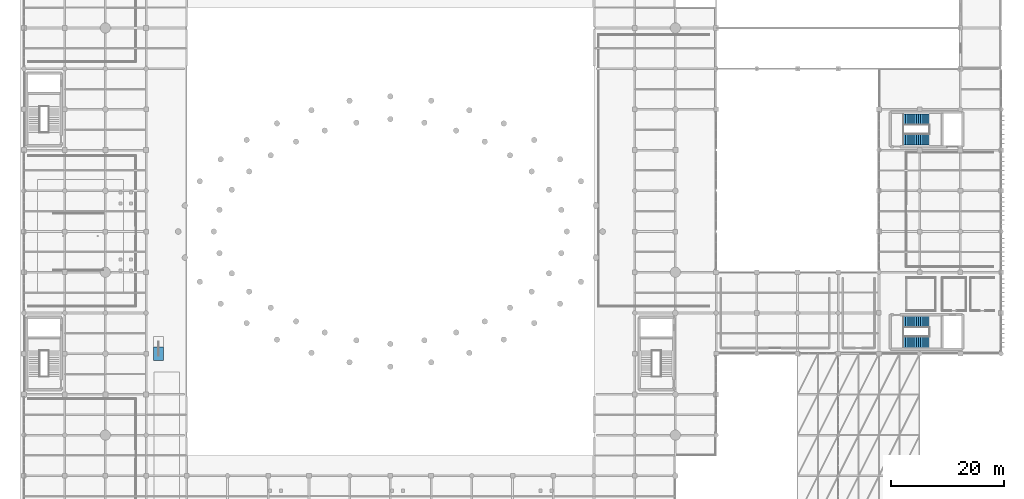
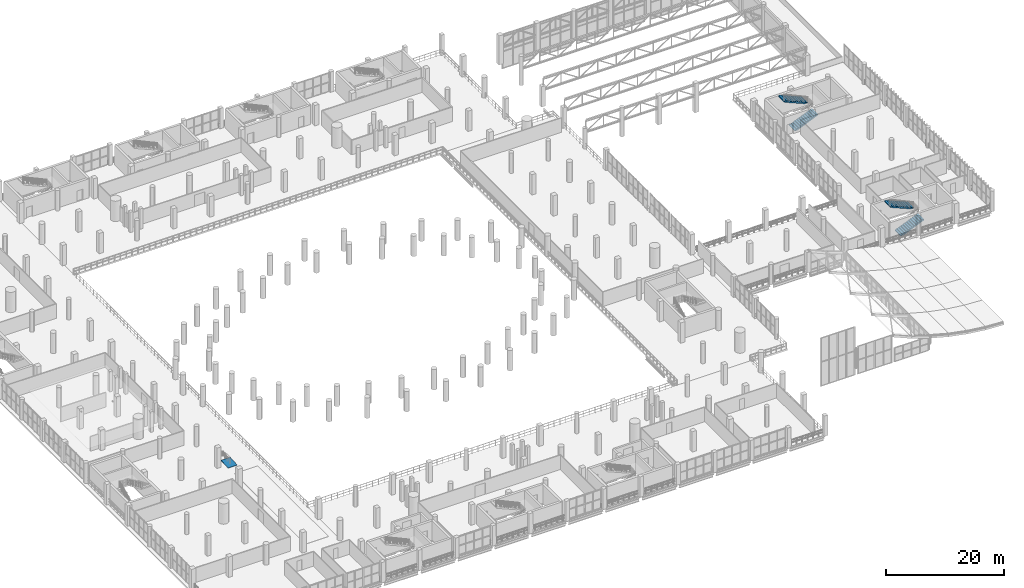
# One storey, part 140 of 153: 4 stair flights, 1 ramp flight, 3 elements without a shape of their own.
"""IFC4 building model written with IfcOpenShell, lengths in metres."""

from ifc_helpers import new_model, si_unit, direction, frame, origin, place, context, subcontext, project, spatial, polyline, outline, extrude, material, layer, layer_set, type_object, element, aggregate, save


model = new_model("IFC4")

# Units and contexts
model_context = context("Model", 3, precision=1e-05, world=origin(), true_north=direction((0.0, 1.0)))
body_context = subcontext(model_context, "Body", "Model", "MODEL_VIEW")
ifc_project = project(units=[si_unit("LENGTHUNIT", "METRE"), si_unit("AREAUNIT", "SQUARE_METRE"), si_unit("VOLUMEUNIT", "CUBIC_METRE"), si_unit("PLANEANGLEUNIT", "RADIAN"), si_unit("MASSUNIT", "GRAM", prefix="KILO")], contexts=[model_context])

# Site, building, storey
site_placement = place(None, origin())
site = spatial("IfcSite", under=ifc_project, at=site_placement, CompositionType="ELEMENT")
building_placement = place(site_placement, origin())
building = spatial("IfcBuilding", under=site, at=building_placement, Name="Qandorah Velis Arena", CompositionType="ELEMENT")
storey_placement = place(building_placement, frame((0.0, 0.0, 5.39990234375)))
storey = spatial("IfcBuildingStorey", under=building, at=storey_placement, Name="L01", CompositionType="ELEMENT", Elevation=5.39990234375)

# Stair, stair flights
ifc_material = material(Name="Concrete C40/50", Category="concrete")
stair_type = type_object("IfcStairType", Name="ARC-ST-CORE42", PredefinedType="HALF_TURN_STAIR", material=ifc_material)
stair_1_placement = place(storey_placement, origin())
stair_1 = element("IfcStair", 1, at=stair_1_placement, inside=storey, type_object=stair_type, Name="Protected exit stair ST7 (L01)", PredefinedType="HALF_TURN_STAIR")
stair_flight_type = type_object("IfcStairFlightType", Name="ARC-STF-1650", PredefinedType="STRAIGHT", material=ifc_material)
stair_flight_1_placement = place(storey_placement, frame((155.550048828125, 45.300048828125, 0.0), z_axis=(0.0, 0.0, 1.0), x_axis=(1.0, 0.0, 0.0)))
stair_flight_1 = element("IfcStairFlight", 2, at=stair_flight_1_placement, type_object=stair_flight_type, Name="ST7 flight 1", NumberOfRisers=13, NumberOfTreads=12, PredefinedType="STRAIGHT", RiserHeight=0.16154, TreadLength=0.378, context=body_context, shape_type="SweptSolid", body=[
    extrude(outline(polyline([(0.0, 0.0), (0.0, 0.16162109375), (0.3779296875, 0.16162109375), (0.3779296875, 0.322998046875), (0.756103515625, 0.322998046875), (0.756103515625, 0.484619140625), (1.134033203125, 0.484619140625), (1.134033203125, 0.646240234375), (1.511962890625, 0.646240234375), (1.511962890625, 0.8076171875), (1.889892578125, 0.8076171875), (1.889892578125, 0.96923828125), (2.26806640625, 0.96923828125), (2.26806640625, 1.130859375), (2.64599609375, 1.130859375), (2.64599609375, 1.292236328125), (3.02392578125, 1.292236328125), (3.02392578125, 1.453857421875), (3.402099609375, 1.453857421875), (3.402099609375, 1.615478515625), (3.780029296875, 1.615478515625), (3.780029296875, 1.77685546875), (4.157958984375, 1.77685546875), (4.157958984375, 1.9384765625), (4.535888671875, 1.9384765625), (4.535888671875, 2.10009765625), (4.535888671875, 1.69921875), (0.559814453125, 0.0), (0.0, 0.0)])), frame((0.0, 0.989990234375, 0.0), z_axis=(0.0, -1.0, 0.0), x_axis=(1.0, 0.0, 0.0)), (0.0, 0.0, 1.0), 1.97998046875),
])
stair_flight_2_placement = place(storey_placement, frame((160.0859375, 48.800048828125, 2.10009765625), z_axis=(0.0, 0.0, 1.0), x_axis=(-1.0, 0.0, 0.0)))
stair_flight_2 = element("IfcStairFlight", 3, at=stair_flight_2_placement, type_object=stair_flight_type, Name="ST7 flight 2", NumberOfRisers=13, NumberOfTreads=12, PredefinedType="STRAIGHT", RiserHeight=0.16154, TreadLength=0.378, context=body_context, shape_type="SweptSolid", body=[
    extrude(outline(polyline([(0.0, 0.0), (0.0, 0.16162109375), (0.3779296875, 0.16162109375), (0.3779296875, 0.322998046875), (0.756103515625, 0.322998046875), (0.756103515625, 0.484619140625), (1.134033203125, 0.484619140625), (1.134033203125, 0.646240234375), (1.511962890625, 0.646240234375), (1.511962890625, 0.8076171875), (1.889892578125, 0.8076171875), (1.889892578125, 0.96923828125), (2.26806640625, 0.96923828125), (2.26806640625, 1.130859375), (2.64599609375, 1.130859375), (2.64599609375, 1.292236328125), (3.02392578125, 1.292236328125), (3.02392578125, 1.453857421875), (3.402099609375, 1.453857421875), (3.402099609375, 1.615478515625), (3.780029296875, 1.615478515625), (3.780029296875, 1.77685546875), (4.157958984375, 1.77685546875), (4.157958984375, 1.9384765625), (4.535888671875, 1.9384765625), (4.535888671875, 2.10009765625), (4.535888671875, 1.69921875), (0.559814453125, 0.0), (0.0, 0.0)])), frame((0.0, 0.989990234375, 0.0), z_axis=(0.0, -1.0, 0.0), x_axis=(1.0, 0.0, 0.0)), (0.0, 0.0, 1.0), 1.97998046875),
])
aggregate(stair_1, [stair_flight_1, stair_flight_2])

stair_2_placement = place(storey_placement, origin())
stair_2 = element("IfcStair", 4, at=stair_2_placement, inside=storey, type_object=stair_type, Name="Protected exit stair ST8 (L01)", PredefinedType="HALF_TURN_STAIR")
stair_flight_3_placement = place(storey_placement, frame((155.550048828125, 81.10009765625, 0.0), z_axis=(0.0, 0.0, 1.0), x_axis=(1.0, 0.0, 0.0)))
stair_flight_3 = element("IfcStairFlight", 5, at=stair_flight_3_placement, type_object=stair_flight_type, Name="ST8 flight 1", NumberOfRisers=13, NumberOfTreads=12, PredefinedType="STRAIGHT", RiserHeight=0.16154, TreadLength=0.378, context=body_context, shape_type="SweptSolid", body=[
    extrude(outline(polyline([(0.0, 0.0), (0.0, 0.16162109375), (0.3779296875, 0.16162109375), (0.3779296875, 0.322998046875), (0.756103515625, 0.322998046875), (0.756103515625, 0.484619140625), (1.134033203125, 0.484619140625), (1.134033203125, 0.646240234375), (1.511962890625, 0.646240234375), (1.511962890625, 0.8076171875), (1.889892578125, 0.8076171875), (1.889892578125, 0.96923828125), (2.26806640625, 0.96923828125), (2.26806640625, 1.130859375), (2.64599609375, 1.130859375), (2.64599609375, 1.292236328125), (3.02392578125, 1.292236328125), (3.02392578125, 1.453857421875), (3.402099609375, 1.453857421875), (3.402099609375, 1.615478515625), (3.780029296875, 1.615478515625), (3.780029296875, 1.77685546875), (4.157958984375, 1.77685546875), (4.157958984375, 1.9384765625), (4.535888671875, 1.9384765625), (4.535888671875, 2.10009765625), (4.535888671875, 1.69921875), (0.559814453125, 0.0), (0.0, 0.0)])), frame((0.0, 0.989990234375, 0.0), z_axis=(0.0, -1.0, 0.0), x_axis=(1.0, 0.0, 0.0)), (0.0, 0.0, 1.0), 1.97998046875),
])
stair_flight_4_placement = place(storey_placement, frame((160.0859375, 84.60009765625, 2.10009765625), z_axis=(0.0, 0.0, 1.0), x_axis=(-1.0, 0.0, 0.0)))
stair_flight_4 = element("IfcStairFlight", 6, at=stair_flight_4_placement, type_object=stair_flight_type, Name="ST8 flight 2", NumberOfRisers=13, NumberOfTreads=12, PredefinedType="STRAIGHT", RiserHeight=0.16154, TreadLength=0.378, context=body_context, shape_type="SweptSolid", body=[
    extrude(outline(polyline([(0.0, 0.0), (0.0, 0.16162109375), (0.3779296875, 0.16162109375), (0.3779296875, 0.322998046875), (0.756103515625, 0.322998046875), (0.756103515625, 0.484619140625), (1.134033203125, 0.484619140625), (1.134033203125, 0.646240234375), (1.511962890625, 0.646240234375), (1.511962890625, 0.8076171875), (1.889892578125, 0.8076171875), (1.889892578125, 0.96923828125), (2.26806640625, 0.96923828125), (2.26806640625, 1.130859375), (2.64599609375, 1.130859375), (2.64599609375, 1.292236328125), (3.02392578125, 1.292236328125), (3.02392578125, 1.453857421875), (3.402099609375, 1.453857421875), (3.402099609375, 1.615478515625), (3.780029296875, 1.615478515625), (3.780029296875, 1.77685546875), (4.157958984375, 1.77685546875), (4.157958984375, 1.9384765625), (4.535888671875, 1.9384765625), (4.535888671875, 2.10009765625), (4.535888671875, 1.69921875), (0.559814453125, 0.0), (0.0, 0.0)])), frame((0.0, 0.989990234375, 0.0), z_axis=(0.0, -1.0, 0.0), x_axis=(1.0, 0.0, 0.0)), (0.0, 0.0, 1.0), 1.97998046875),
])
aggregate(stair_2, [stair_flight_3, stair_flight_4])

# Ramp, ramp flight
ramp_type = type_object("IfcRampType", Name="ARC-RMP-PED1800", PredefinedType="TWO_STRAIGHT_RUN_RAMP", material=ifc_material)
ramp_placement = place(storey_placement, origin())
ramp = element("IfcRamp", 7, at=ramp_placement, inside=storey, type_object=ramp_type, Name="Accessible pedestrian threshold ramp PR3", PredefinedType="TWO_STRAIGHT_RUN_RAMP")
ifc_layer = layer(ifc_material, 0.25)
ifc_layer_set = layer_set([ifc_layer], Name="Concrete C40/50")
ramp_flight_type = type_object("IfcRampFlightType", Name="ARC-RMF-PED1800", PredefinedType="STRAIGHT", material=ifc_layer_set)
ramp_flight_placement = place(storey_placement, frame((23.7998046875, 42.0, 0.0), z_axis=(0.0, 0.0, 1.0), x_axis=(0.0, 1.0, 0.0)))
ramp_flight = element("IfcRampFlight", 8, at=ramp_flight_placement, type_object=ramp_flight_type, Name="Accessible pedestrian threshold ramp PR3 flight 1", PredefinedType="STRAIGHT", context=body_context, shape_type="SweptSolid", body=[
    extrude(outline(polyline([(0.0, 0.0), (2.39990234375, 0.150146484375), (2.39990234375, 0.000244140625), (0.0, -0.14990234375), (0.0, 0.0)])), frame((0.0, 0.89990234375, 0.0), z_axis=(0.0, -1.0, 0.0), x_axis=(1.0, 0.0, 0.0)), (0.0, 0.0, 1.0), 1.800048828125),
])
aggregate(ramp, [ramp_flight])

save(model, "model.ifc")
